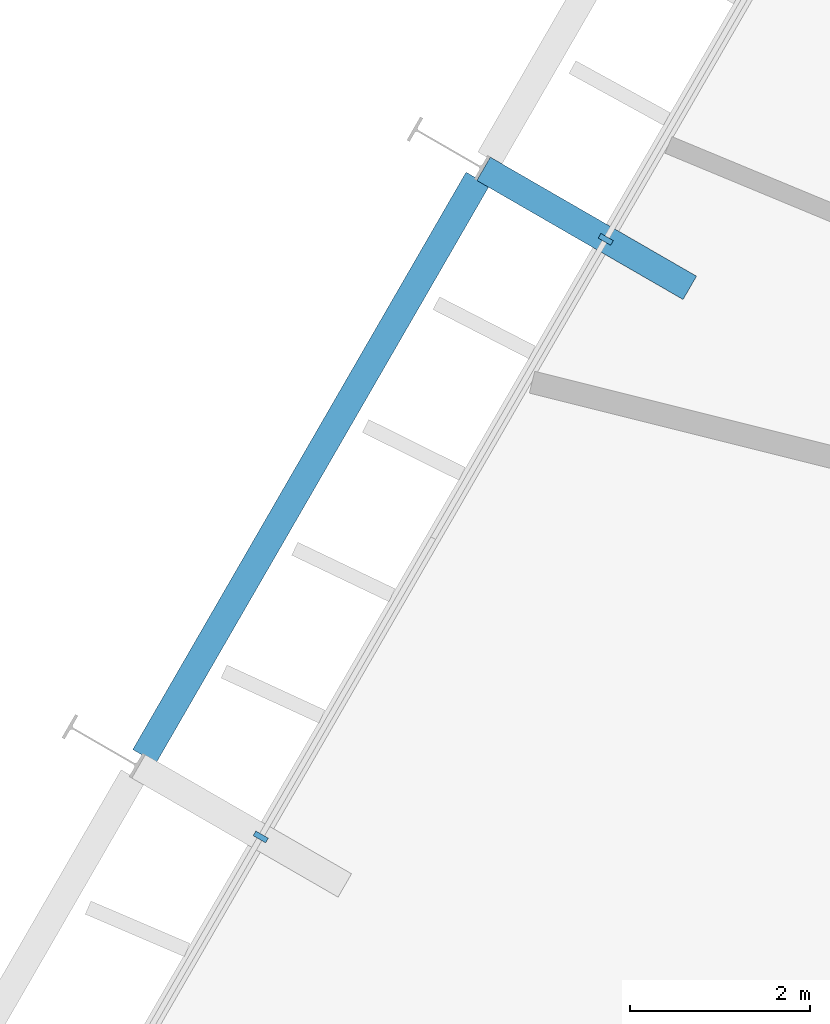
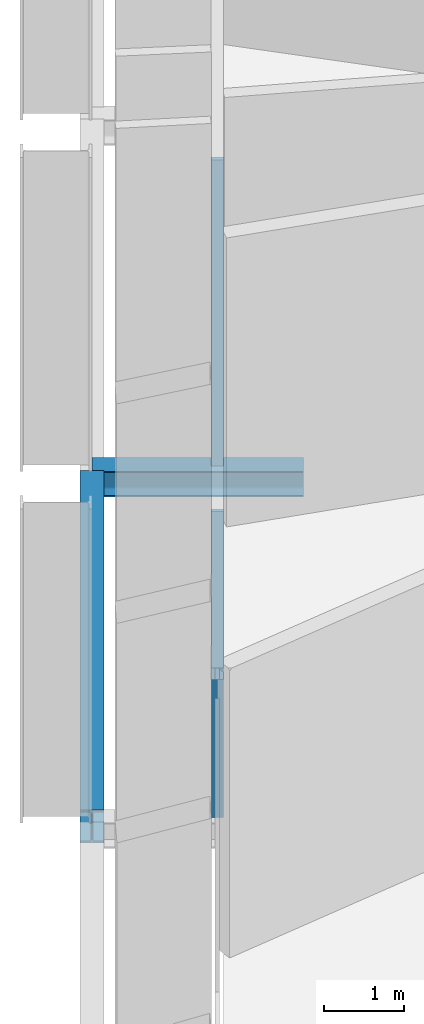
# One storey, part 6 of 18: 2 beams, 2 members, 1 element without a shape of its own.
"""IFC4 building model written with IfcOpenShell, lengths in metres."""

from ifc_helpers import new_model, si_unit, direction, frame, origin, origin_2d, place, context, subcontext, project, spatial, rectangle, i_section, extrude, material, layer, layer_set, material_profile, profile_set, type_object, element, aggregate, save


model = new_model("IFC4")

# Units and contexts
model_context = context("Model", 3, precision=1e-05, world=origin(), true_north=direction((0.0, 1.0)))
body_context = subcontext(model_context, "Body", "Model", "MODEL_VIEW")
ifc_project = project(units=[si_unit("LENGTHUNIT", "METRE"), si_unit("AREAUNIT", "SQUARE_METRE"), si_unit("VOLUMEUNIT", "CUBIC_METRE"), si_unit("PLANEANGLEUNIT", "RADIAN"), si_unit("MASSUNIT", "GRAM", prefix="KILO")], contexts=[model_context])

# Site, building, storey
site_placement = place(None, origin())
site = spatial("IfcSite", under=ifc_project, at=site_placement, CompositionType="ELEMENT")
building_placement = place(site_placement, origin())
building = spatial("IfcBuilding", under=site, at=building_placement, Name="Spindle Arch Residences", CompositionType="ELEMENT")
storey_placement = place(building_placement, frame((0.0, 0.0, 9.0)))
storey = spatial("IfcBuildingStorey", under=building, at=storey_placement, Name="L01", CompositionType="ELEMENT", Elevation=9.0)

# Curtain wall, members
ifc_material_1 = material(Name="Aluminium bronze unitised frame with tinted glass", Category="aluminium")
ifc_layer = layer(ifc_material_1, 0.159912109375)
ifc_layer_set = layer_set([ifc_layer], Name="CW-B amenity podium glazed wall")
curtain_wall_type = type_object("IfcCurtainWallType", Name="CW-B amenity podium glazed wall", PredefinedType="NOTDEFINED", material=ifc_layer_set)
curtain_wall_placement = place(storey_placement, origin())
curtain_wall = element("IfcCurtainWall", 1, at=curtain_wall_placement, inside=storey, type_object=curtain_wall_type, Name="CW-B L01 run 4", PredefinedType="NOTDEFINED")
ifc_material_2 = material(Name="Aluminium bronze anodised mullion", Category="aluminium")
ifc_material_profile_1 = material_profile(ifc_material_2, rectangle(XDim=0.159912109375, YDim=0.06005859375, at=origin_2d()), Name="MU 60x160")
ifc_profile_set_1 = profile_set([ifc_material_profile_1], Name="Aluminium bronze anodised mullion")
member_type = type_object("IfcMemberType", Name="Bronze mullion 60x160", PredefinedType="MULLION", material=ifc_profile_set_1)
member_1_placement = place(storey_placement, frame((-18.9892578125, 6.529296875, -0.3798828125), z_axis=(0.0, 0.0, 1.0), x_axis=(0.866025403784, -0.5, 0.0)))
member_1 = element("IfcMember", 2, at=member_1_placement, type_object=member_type, Name="CW-B mullion 16", PredefinedType="MULLION", context=body_context, shape_type="SweptSolid", body=[
    extrude(rectangle(XDim=0.159912109375, YDim=0.06005859375, at=origin_2d()), origin(), (0.0, 0.0, 1.0), 4.679931640625),
])
member_2_placement = place(storey_placement, frame((-22.829345703125, -0.121826171875, -0.3798828125), z_axis=(0.0, 0.0, 1.0), x_axis=(0.866025403784, -0.5, 0.0)))
member_2 = element("IfcMember", 3, at=member_2_placement, type_object=member_type, Name="CW-B mullion 17", PredefinedType="MULLION", context=body_context, shape_type="SweptSolid", body=[
    extrude(rectangle(XDim=0.159912109375, YDim=0.06005859375, at=origin_2d()), origin(), (0.0, 0.0, 1.0), 4.679931640625),
])
aggregate(curtain_wall, [member_1, member_2])

# Beams
ifc_material_3 = material(Name="Steel S460ML, intumescent coating R 120", Category="steel")
ifc_material_profile_2 = material_profile(ifc_material_3, i_section(OverallWidth=0.300048828125, OverallDepth=0.5, WebThickness=0.014404296875, FlangeThickness=0.028076171875, FilletRadius=0.027099609375, at=origin_2d()), Name="HEB 500")
ifc_profile_set_2 = profile_set([ifc_material_profile_2], Name="Steel S460ML, intumescent coating R 120")
beam_type_1 = type_object("IfcBeamType", Name="Exoskeleton edge beam HEB 500", PredefinedType="BEAM", material=ifc_profile_set_2)
beam_1_placement = place(storey_placement, frame((-20.4140625, 7.201904296875, -0.6298828125), z_axis=(-0.49998923004, -0.866031621735, 0.0), x_axis=(0.866031621735, -0.49998923004, 0.0)))
element("IfcBeam", 4, at=beam_1_placement, inside=storey, type_object=beam_type_1, Name="Exoskeleton edge beam 17", PredefinedType="BEAM", context=body_context, shape_type="SweptSolid", body=[
    extrude(i_section(OverallWidth=0.300048828125, OverallDepth=0.5, WebThickness=0.014404296875, FlangeThickness=0.028076171875, FilletRadius=0.027099609375, at=origin_2d()), origin(), (0.0, 0.0, 1.0), 7.420166015625),
])
ifc_material_4 = material(Name="Steel S460ML, intumescent coating R 120", Category="steel")
ifc_material_profile_3 = material_profile(ifc_material_4, i_section(OverallWidth=0.300048828125, OverallDepth=0.389892578125, WebThickness=0.010986328125, FlangeThickness=0.01904296875, FilletRadius=0.027099609375, at=origin_2d()), Name="HEA 400")
ifc_profile_set_3 = profile_set([ifc_material_profile_3], Name="Steel S460ML, intumescent coating R 120")
beam_type_2 = type_object("IfcBeamType", Name="Floor outrigger HEA 400", PredefinedType="BEAM", material=ifc_profile_set_3)
beam_2_placement = place(storey_placement, frame((-20.34912109375, 7.314453125, -0.574951171875), z_axis=(0.866052124492, -0.499953715521, 0.0), x_axis=(0.499953715521, 0.866052124492, 0.0)))
element("IfcBeam", 5, at=beam_2_placement, inside=storey, type_object=beam_type_2, Name="Floor outrigger 17", PredefinedType="BEAM", context=body_context, shape_type="SweptSolid", body=[
    extrude(i_section(OverallWidth=0.300048828125, OverallDepth=0.389892578125, WebThickness=0.010986328125, FlangeThickness=0.01904296875, FilletRadius=0.027099609375, at=origin_2d()), origin(), (0.0, 0.0, 1.0), 2.650146484375),
])

save(model, "model.ifc")
